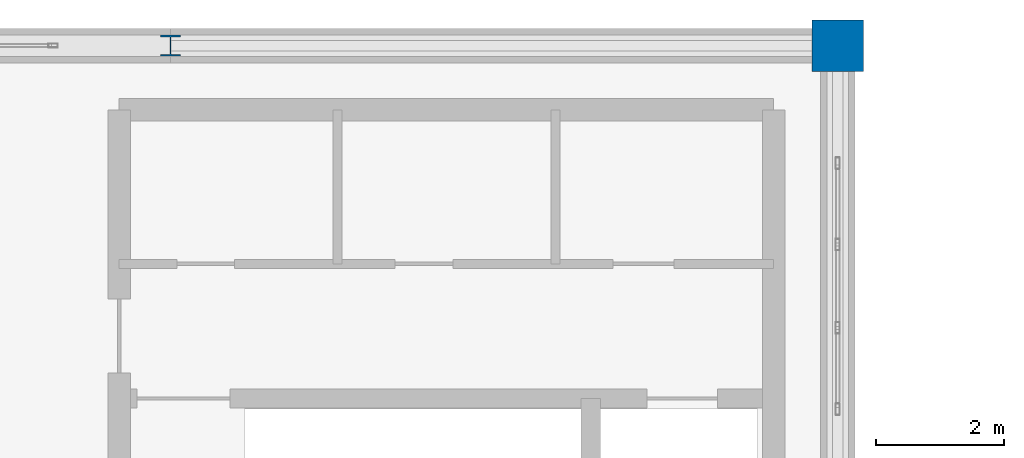
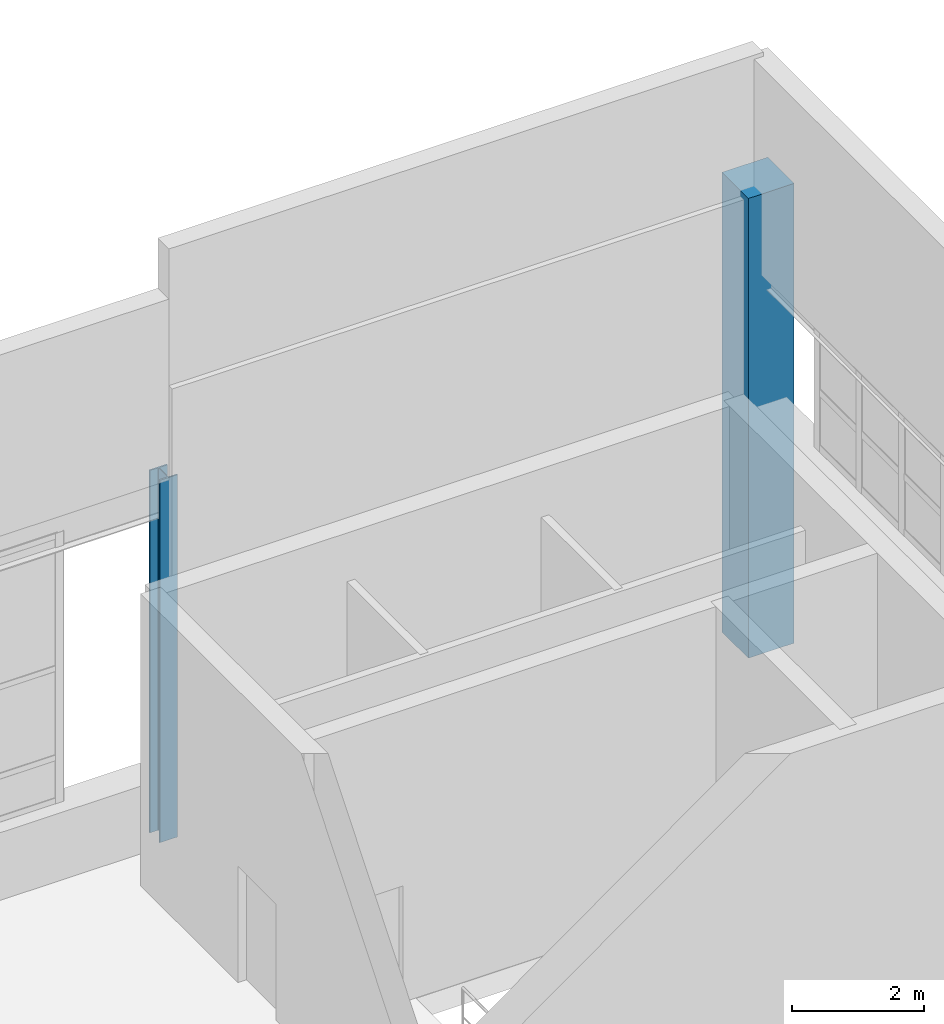
# One storey, part 14 of 97: 2 columns.
"""IFC4 building model written with IfcOpenShell, lengths in metres."""

from ifc_helpers import new_model, si_unit, derived_unit, direction, frame, origin, origin_2d, place, context, subcontext, project, spatial, rectangle, i_section, extrude, material, material_profile, profile_set, type_object, element, save


model = new_model("IFC4")

# Units and contexts
model_context = context("Model", 3, precision=1e-05, world=origin(), true_north=direction((0.0, 1.0)))
body_context = subcontext(model_context, "Body", "Model", "MODEL_VIEW")
ifc_project = project(units=[si_unit("LENGTHUNIT", "METRE"), si_unit("AREAUNIT", "SQUARE_METRE"), si_unit("VOLUMEUNIT", "CUBIC_METRE"), si_unit("PLANEANGLEUNIT", "RADIAN"), si_unit("MASSUNIT", "GRAM", prefix="KILO"), derived_unit("THERMALTRANSMITTANCEUNIT", [(si_unit("POWERUNIT", "WATT"), 1), (si_unit("LENGTHUNIT", "METRE"), -2), (si_unit("THERMODYNAMICTEMPERATUREUNIT", "KELVIN"), -1)])], contexts=[model_context])

# Site, building, storey
site_placement = place(None, origin())
site = spatial("IfcSite", under=ifc_project, at=site_placement, CompositionType="ELEMENT")
building_placement = place(site_placement, origin())
building = spatial("IfcBuilding", under=site, at=building_placement, Name="Almenara Railside Exhibition Hall", CompositionType="ELEMENT")
storey_placement = place(building_placement, frame((0.0, 0.0, 10.800048828125)))
storey = spatial("IfcBuildingStorey", under=building, at=storey_placement, Name="L02", CompositionType="ELEMENT", Elevation=10.800048828125)

# Columns
ifc_material_1 = material(Name="Concrete C40/50", Category="concrete")
ifc_material_profile_1 = material_profile(ifc_material_1, rectangle(XDim=0.800048828125, YDim=0.800048828125, at=origin_2d()), Name="RC 800x800")
ifc_profile_set_1 = profile_set([ifc_material_profile_1], Name="Concrete C40/50")
column_type_1 = type_object("IfcColumnType", Name="RC Column 800x800 C40/50", PredefinedType="COLUMN", material=ifc_profile_set_1)
column_1_placement = place(storey_placement, frame((66.0, 132.0, 0.0), z_axis=(0.0, 0.0, 1.0), x_axis=(1.0, 0.0, 0.0)))
element("IfcColumn", 1, at=column_1_placement, inside=storey, type_object=column_type_1, Name="Column 0078", PredefinedType="COLUMN", context=body_context, shape_type="SweptSolid", body=[
    extrude(rectangle(XDim=0.800048828125, YDim=0.800048828125, at=origin_2d()), origin(), (0.0, 0.0, 1.0), 8.5),
])
ifc_material_2 = material(Name="Structural steel S355JR", Category="steel")
ifc_material_profile_2 = material_profile(ifc_material_2, i_section(OverallWidth=0.311279296875, OverallDepth=0.3271484375, WebThickness=0.015869140625, FlangeThickness=0.02490234375, FilletRadius=0.01513671875, at=origin_2d()), Name="UC 305x305x158")
ifc_profile_set_2 = profile_set([ifc_material_profile_2], Name="Structural steel S355JR")
column_type_2 = type_object("IfcColumnType", Name="Steel Column UC 305x305x158 S355JR", PredefinedType="COLUMN", material=ifc_profile_set_2)
column_2_placement = place(storey_placement, frame((55.60009765625, 132.0, 0.0), z_axis=(0.0, 0.0, 1.0), x_axis=(1.0, 0.0, 0.0)))
element("IfcColumn", 2, at=column_2_placement, inside=storey, type_object=column_type_2, Name="Column 0084", PredefinedType="COLUMN", context=body_context, shape_type="SweptSolid", body=[
    extrude(i_section(OverallWidth=0.311279296875, OverallDepth=0.3271484375, WebThickness=0.015869140625, FlangeThickness=0.02490234375, FilletRadius=0.01513671875, at=origin_2d()), origin(), (0.0, 0.0, 1.0), 6.699951171875),
])

save(model, "model.ifc")
